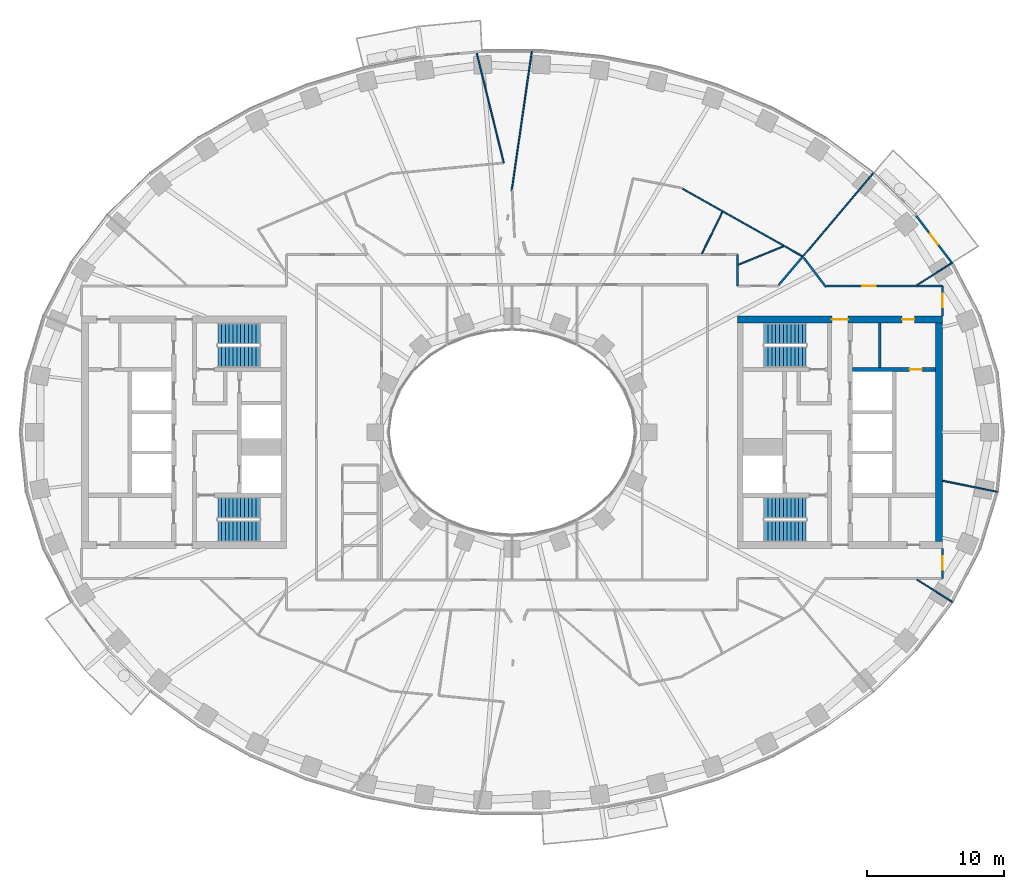
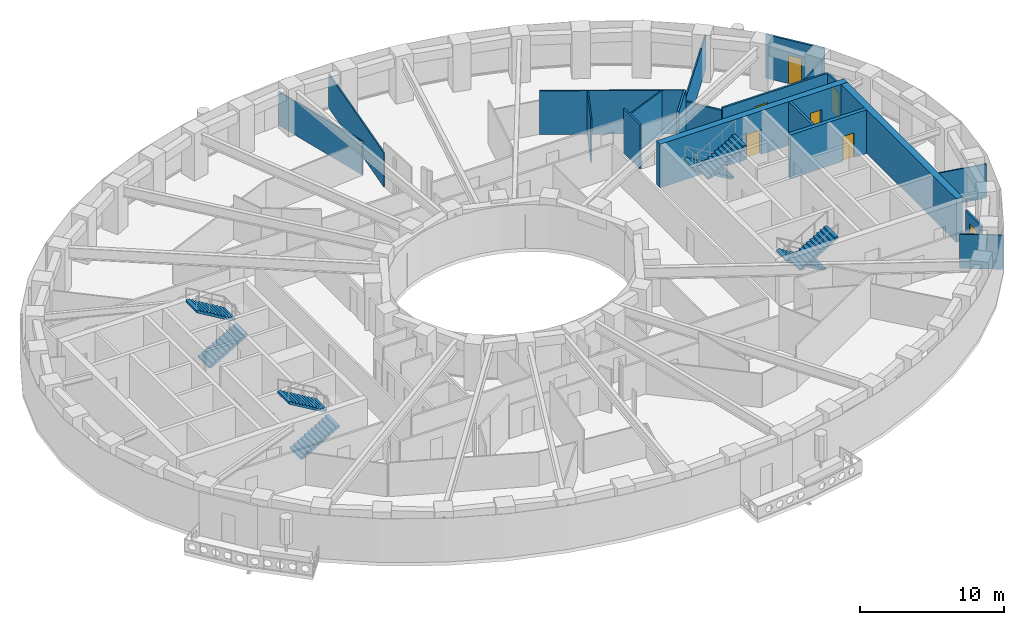
# One storey, part 7 of 16: 20 walls, 8 stair flights, 7 doors, 7 openings, 4 elements without a shape of their own.
"""IFC4 building model written with IfcOpenShell, lengths in metres."""

import ifcopenshell
import ifcopenshell.guid

model = None  # the IFC model being written
_history = None  # IfcOwnerHistory: only IFC2X3 demands one
_inside = {}  # id of a spatial element -> (the spatial element, [elements in it])
_under = {}  # id of a project, library or spatial element -> (it, [spatial elements below it])
_declared = {}  # id of a project -> (the project, [libraries it declares])
_typed = {}  # id of a type object -> (the type object, [elements of that type])
_made_of = {}  # id of a material, layer set ... -> (it, [elements and type objects made of it])


def new_model(schema):
    """Start an empty IFC model of exactly this schema.

    Asked for "IFC4X3", IfcOpenShell would pick the latest addendum, in which some entities
    have other attributes; the version numbers below select the first issue.
    IFC2X3 requires an IfcOwnerHistory on every rooted entity: one is made here for all.
    """
    global model, _history
    if schema == "IFC4X3":
        model = ifcopenshell.file(schema_version=(4, 3, 0, 0))
    else:
        model = ifcopenshell.file(schema=schema)
    _inside.clear()
    _under.clear()
    _declared.clear()
    _typed.clear()
    _made_of.clear()
    _history = None
    if model.schema == "IFC2X3":
        org = make("IfcOrganization", Name="unknown")
        user = make(
            "IfcPersonAndOrganization",
            ThePerson=make("IfcPerson", FamilyName="unknown"),
            TheOrganization=org,
        )
        app = make(
            "IfcApplication",
            ApplicationDeveloper=org,
            Version="unknown",
            ApplicationFullName="unknown",
            ApplicationIdentifier="unknown",
        )
        _history = make(
            "IfcOwnerHistory",
            OwningUser=user,
            OwningApplication=app,
            ChangeAction="ADDED",
            CreationDate=0,
        )
    return model


def make(cls, **values):
    """One entity of the class cls with the attributes given. An attribute that is None is left unset."""
    return model.create_entity(
        cls, **{name: value for name, value in values.items() if value is not None}
    )


def rooted(cls, **values):
    """An entity with a GlobalId (a new one), such as an element, a storey or a relation."""
    return make(cls, GlobalId=ifcopenshell.guid.new(), OwnerHistory=_history, **values)


def si_unit(unit_type, name, prefix=None):
    """IfcSIUnit, for example si_unit("LENGTHUNIT", "METRE", prefix="MILLI")."""
    return make("IfcSIUnit", UnitType=unit_type, Prefix=prefix, Name=name)


def assignment(units):
    """IfcUnitAssignment: the units of a project."""
    return None if units is None else make("IfcUnitAssignment", Units=units)


def point(xyz):
    """IfcCartesianPoint."""
    return None if xyz is None else make("IfcCartesianPoint", Coordinates=xyz)


def direction(xyz):
    """IfcDirection."""
    return None if xyz is None else make("IfcDirection", DirectionRatios=xyz)


def frame(location, z_axis=None, x_axis=None):
    """IfcAxis2Placement3D, a coordinate frame: its origin and axes. An axis left out is left unset."""
    return make(
        "IfcAxis2Placement3D",
        Location=point(location),
        Axis=direction(z_axis),
        RefDirection=direction(x_axis),
    )


def frame_2d(location, x_axis=None):
    """IfcAxis2Placement2D, a coordinate frame in the plane: its origin and x axis."""
    return make(
        "IfcAxis2Placement2D", Location=point(location), RefDirection=direction(x_axis)
    )


def origin():
    """The frame at (0, 0, 0) with its axes left unset."""
    return frame((0.0, 0.0, 0.0))


def place(relative_to, where):
    """IfcLocalPlacement: puts the frame where relative to a parent placement (None: the world)."""
    return make(
        "IfcLocalPlacement", PlacementRelTo=relative_to, RelativePlacement=where
    )


def context(
    kind, dimensions, precision=None, world=None, true_north=None, identifier=None
):
    """IfcGeometricRepresentationContext, for example the 3D "Model" context."""
    return make(
        "IfcGeometricRepresentationContext",
        ContextIdentifier=identifier,
        ContextType=kind,
        CoordinateSpaceDimension=dimensions,
        Precision=precision,
        WorldCoordinateSystem=world,
        TrueNorth=true_north,
    )


def subcontext(parent, identifier, kind, view, scale=None):
    """IfcGeometricRepresentationSubContext, for example "Body" below "Model"."""
    return make(
        "IfcGeometricRepresentationSubContext",
        ContextIdentifier=identifier,
        ContextType=kind,
        ParentContext=parent,
        TargetScale=scale,
        TargetView=view,
    )


def project(units=None, contexts=None):
    """IfcProject with its units and contexts."""
    return rooted(
        "IfcProject",
        Name="project",
        RepresentationContexts=contexts,
        UnitsInContext=assignment(units),
    )


def spatial(cls, under=None, at=None, **own):
    """A site, building, storey or space (cls), placed at a placement, below another one or the project."""
    s = rooted(cls, ObjectPlacement=at, **own)
    if under is not None:
        _under.setdefault(under.id(), (under, []))[1].append(s)
    return s


def polyline(points):
    """IfcPolyline through the points."""
    return make("IfcPolyline", Points=[point(p) for p in points])


def profile(cls, at=None, kind="AREA", **sizes):
    """A parametric profile (cls). Its sizes go by their IFC names, for example OverallWidth=200.0."""
    return make(cls, ProfileType=kind, Position=at, **sizes)


def rectangle(**sizes):
    """IfcRectangleProfileDef."""
    return profile("IfcRectangleProfileDef", **sizes)


def outline(outer, holes=None, kind="AREA"):
    """IfcArbitraryClosedProfileDef: a profile drawn as a closed curve; with holes, ...WithVoids."""
    if holes is None:
        return make("IfcArbitraryClosedProfileDef", ProfileType=kind, OuterCurve=outer)
    return make(
        "IfcArbitraryProfileDefWithVoids",
        ProfileType=kind,
        OuterCurve=outer,
        InnerCurves=holes,
    )


def extrude(swept, where, along, depth):
    """IfcExtrudedAreaSolid: the profile swept, set in the frame where, extruded along a direction by depth."""
    return make(
        "IfcExtrudedAreaSolid",
        SweptArea=swept,
        Position=where,
        ExtrudedDirection=direction(along),
        Depth=depth,
    )


def shape(context_of_items, identifier, shape_type, items):
    """IfcShapeRepresentation: the items that make up one representation, for example the "Body"."""
    return make(
        "IfcShapeRepresentation",
        ContextOfItems=context_of_items,
        RepresentationIdentifier=identifier,
        RepresentationType=shape_type,
        Items=items,
    )


def material(Name=None, Category=None):
    """IfcMaterial."""
    return make("IfcMaterial", Name=Name, Category=Category)


def layer(
    of_material, thickness, ventilated=None, Name=None, Category=None, Priority=None
):
    """IfcMaterialLayer: one layer of a wall or slab, of a material (None: an air gap)."""
    return make(
        "IfcMaterialLayer",
        Material=of_material,
        LayerThickness=thickness,
        IsVentilated=ventilated,
        Name=Name,
        Category=Category,
        Priority=Priority,
    )


def layer_set(layers, Name=None):
    """IfcMaterialLayerSet."""
    return make("IfcMaterialLayerSet", MaterialLayers=layers, LayerSetName=Name)


def made_of(thing, what):
    """Note that an element or type object is made of a material, layer set ...; save() writes the relation."""
    if what is not None:
        _made_of.setdefault(what.id(), (what, []))[1].append(thing)
    return thing


def type_object(cls, material=None, **own):
    """A type object (cls), such as IfcWallType, which elements share."""
    return made_of(rooted(cls, **own), material)


def element(
    cls,
    number,
    at=None,
    inside=None,
    cuts=None,
    type_object=None,
    material=None,
    context=None,
    identifier="Body",
    shape_type=None,
    held_by="IfcProductDefinitionShape",
    body=None,
    shapes=None,
    **own,
):
    """One element of the class cls, such as IfcWall. Its Tag is "e" and its number.

    at: its placement. inside: the storey or other place that contains it. cuts: it is an
    opening in that element (IfcRelVoidsElement). A single representation is given by context,
    identifier, shape_type and body (its items); several are given by shapes. held_by: the class
    of the entity that holds the representations. save() writes the other relations.
    """
    e = rooted(cls, Tag="e%d" % number, ObjectPlacement=at, **own)
    if body is not None:
        shapes = [shape(context, identifier, shape_type, body)]
    if shapes is not None:
        e.Representation = make(held_by, Representations=shapes)
    if inside is not None:
        _inside.setdefault(inside.id(), (inside, []))[1].append(e)
    if cuts is not None:
        rooted(
            "IfcRelVoidsElement", RelatingBuildingElement=cuts, RelatedOpeningElement=e
        )
    if type_object is not None:
        _typed.setdefault(type_object.id(), (type_object, []))[1].append(e)
    return made_of(e, material)


def fill(opening, filler):
    """IfcRelFillsElement: the door or window that sits in an opening."""
    return rooted(
        "IfcRelFillsElement",
        RelatingOpeningElement=opening,
        RelatedBuildingElement=filler,
    )


def aggregate(whole, parts):
    """IfcRelAggregates: a whole, such as a stair, and the parts it consists of."""
    return rooted("IfcRelAggregates", RelatingObject=whole, RelatedObjects=parts)


def save(model, path):
    """Write the relations noted so far, then the file.

    IfcRelAggregates (storeys below a building ...), IfcRelContainedInSpatialStructure (elements
    in a storey), IfcRelDefinesByType, IfcRelAssociatesMaterial and IfcRelDeclares: one each for
    every whole, place, type object, material and project.
    """
    for whole, parts in _under.values():
        aggregate(whole, parts)
    for where, things in _inside.values():
        rooted(
            "IfcRelContainedInSpatialStructure",
            RelatedElements=things,
            RelatingStructure=where,
        )
    for kind, things in _typed.values():
        rooted("IfcRelDefinesByType", RelatedObjects=things, RelatingType=kind)
    for what, things in _made_of.values():
        rooted("IfcRelAssociatesMaterial", RelatedObjects=things, RelatingMaterial=what)
    for by, libraries in _declared.values():
        rooted("IfcRelDeclares", RelatingContext=by, RelatedDefinitions=libraries)
    model.write(path)


model = new_model("IFC4")

# Units and contexts
model_context = context("Model", 3, precision=1e-05, world=origin(), true_north=direction((0.0, 1.0)))
body_context = subcontext(model_context, "Body", "Model", "MODEL_VIEW")
ifc_project = project(units=[si_unit("LENGTHUNIT", "METRE"), si_unit("AREAUNIT", "SQUARE_METRE"), si_unit("VOLUMEUNIT", "CUBIC_METRE"), si_unit("PLANEANGLEUNIT", "RADIAN"), si_unit("MASSUNIT", "GRAM", prefix="KILO")], contexts=[model_context])

# Site, building, storey
site_placement = place(None, origin())
site = spatial("IfcSite", under=ifc_project, at=site_placement, CompositionType="ELEMENT")
building_placement = place(site_placement, origin())
building = spatial("IfcBuilding", under=site, at=building_placement, Name="Noorbagh Ring Tower", CompositionType="ELEMENT")
storey_placement = place(building_placement, frame((0.0, 0.0, 96.0)))
storey = spatial("IfcBuildingStorey", under=building, at=storey_placement, Name="L21", CompositionType="ELEMENT", Elevation=96.0)

# Wall
ifc_material_1 = material(Name="Gypsum board on steel studs", Category="steel")
ifc_layer_1 = layer(ifc_material_1, 0.199951171875)
ifc_layer_set_1 = layer_set([ifc_layer_1], Name="Gypsum board on steel studs")
wall_type_1 = type_object("IfcWallType", Name="CORE-PARTITION-200", PredefinedType="PARTITIONING", material=ifc_layer_set_1)
wall_1_placement = place(storey_placement, frame((26.89990234375, 4.75, 0.0), z_axis=(0.0, 0.0, 1.0), x_axis=(0.0, 1.0, 0.0)))
element("IfcWall", 1, at=wall_1_placement, inside=storey, type_object=wall_type_1, Name="Core partition E", PredefinedType="PARTITIONING", context=body_context, shape_type="SweptSolid", body=[
    extrude(rectangle(XDim=3.25, YDim=0.199951171875, at=frame_2d((1.625, 0.0))), origin(), (0.0, 0.0, 1.0), 3.699951171875),
])

# Wall, opening, door
ifc_material_2 = material(Name="Concrete C70/85", Category="concrete")
ifc_layer_2 = layer(ifc_material_2, 0.300048828125)
ifc_layer_set_2 = layer_set([ifc_layer_2], Name="Concrete C70/85")
wall_type_2 = type_object("IfcWallType", Name="CORE-WALL-300-C70-85-EI240", PredefinedType="SHEAR", material=ifc_layer_set_2)
wall_2_placement = place(storey_placement, frame((24.89990234375, 4.60009765625, 0.0), z_axis=(0.0, 0.0, 1.0), x_axis=(1.0, 0.0, 0.0)))
wall_2 = element("IfcWall", 2, at=wall_2_placement, inside=storey, type_object=wall_type_2, Name="Core wall E", PredefinedType="SHEAR", context=body_context, shape_type="SweptSolid", body=[
    extrude(rectangle(XDim=6.10009765625, YDim=0.300048828125, at=frame_2d((3.050048828125, 0.0))), origin(), (0.0, 0.0, 1.0), 3.699951171875),
])
opening_1_placement = place(wall_2_placement, frame((4.199951171875, 0.0, 0.0)))
opening_1 = element("IfcOpeningElement", 3, at=opening_1_placement, cuts=wall_2, Name="Opening L21-CE16", PredefinedType="OPENING", context=body_context, shape_type="SweptSolid", body=[
    extrude(rectangle(XDim=0.89990234375, YDim=2.10009765625, at=frame_2d((0.449951171875, 1.050048828125))), frame((0.0, 0.16015625, 0.0), z_axis=(0.0, -1.0, 0.0), x_axis=(1.0, 0.0, 0.0)), (0.0, 0.0, 1.0), 0.320068359375),
])
ifc_material_3 = material(Name="Steel door leaf", Category="steel")
door_type_1 = type_object("IfcDoorType", Name="CORE-DOOR-DROOM", OperationType="SINGLE_SWING_LEFT", PredefinedType="DOOR", material=ifc_material_3)
door_1_placement = place(opening_1_placement, origin())
door_1 = element("IfcDoor", 4, at=door_1_placement, inside=storey, type_object=door_type_1, Name="Core room door L21-CE16", OperationType="SINGLE_SWING_RIGHT", OverallHeight=2.10009765625, OverallWidth=0.89990234375, PredefinedType="DOOR", context=body_context, shape_type="SweptSolid", body=[
    extrude(rectangle(XDim=0.89990234375, YDim=2.10009765625, at=frame_2d((0.449951171875, 1.050048828125))), frame((0.0, 0.02490234375, 0.0), z_axis=(0.0, -1.0, 0.0), x_axis=(1.0, 0.0, 0.0)), (0.0, 0.0, 1.0), 0.050048828125),
])
fill(opening_1, door_1)

# Wall, openings, doors
ifc_material_4 = material(Name="Concrete C70/85", Category="concrete")
ifc_layer_3 = layer(ifc_material_4, 0.5)
ifc_layer_set_3 = layer_set([ifc_layer_3], Name="Concrete C70/85")
wall_type_3 = type_object("IfcWallType", Name="CORE-WALL-500-C70-85-EI240", PredefinedType="SHEAR", material=ifc_layer_set_3)
wall_3_placement = place(storey_placement, frame((16.5, 8.25, 0.0), z_axis=(0.0, 0.0, 1.0), x_axis=(1.0, 0.0, 0.0)))
wall_3 = element("IfcWall", 5, at=wall_3_placement, inside=storey, type_object=wall_type_3, Name="Core wall E", PredefinedType="SHEAR", context=body_context, shape_type="SweptSolid", body=[
    extrude(rectangle(XDim=15.0, YDim=0.5, at=frame_2d((7.5, 0.0))), origin(), (0.0, 0.0, 1.0), 3.699951171875),
])
opening_2_placement = place(wall_3_placement, frame((6.89990234375, 0.0, 0.0)))
opening_2 = element("IfcOpeningElement", 6, at=opening_2_placement, cuts=wall_3, Name="Opening L21-CE09", PredefinedType="OPENING", context=body_context, shape_type="SweptSolid", body=[
    extrude(rectangle(XDim=1.199951171875, YDim=2.10009765625, at=frame_2d((0.60009765625, 1.050048828125))), frame((0.0, 0.260009765625, 0.0), z_axis=(0.0, -1.0, 0.0), x_axis=(1.0, 0.0, 0.0)), (0.0, 0.0, 1.0), 0.52001953125),
])
opening_3_placement = place(wall_3_placement, frame((12.050048828125, 0.0, 0.0)))
opening_3 = element("IfcOpeningElement", 7, at=opening_3_placement, cuts=wall_3, Name="Opening L21-CE13", PredefinedType="OPENING", context=body_context, shape_type="SweptSolid", body=[
    extrude(rectangle(XDim=0.89990234375, YDim=2.10009765625, at=frame_2d((0.449951171875, 1.050048828125))), frame((0.0, 0.260009765625, 0.0), z_axis=(0.0, -1.0, 0.0), x_axis=(1.0, 0.0, 0.0)), (0.0, 0.0, 1.0), 0.52001953125),
])
door_2_placement = place(opening_3_placement, origin())
door_2 = element("IfcDoor", 8, at=door_2_placement, inside=storey, type_object=door_type_1, Name="Core room door L21-CE13", OperationType="SINGLE_SWING_LEFT", OverallHeight=2.10009765625, OverallWidth=0.89990234375, PredefinedType="DOOR", context=body_context, shape_type="SweptSolid", body=[
    extrude(rectangle(XDim=0.89990234375, YDim=2.10009765625, at=frame_2d((0.449951171875, 1.050048828125))), frame((0.0, 0.02490234375, 0.0), z_axis=(0.0, -1.0, 0.0), x_axis=(1.0, 0.0, 0.0)), (0.0, 0.0, 1.0), 0.050048828125),
])
fill(opening_3, door_2)
ifc_material_5 = material(Name="Steel door leaf", Category="steel")
door_type_2 = type_object("IfcDoorType", Name="CORE-DOOR-PORT", OperationType="DOUBLE_DOOR_DOUBLE_SWING", PredefinedType="DOOR", material=ifc_material_5)
door_3_placement = place(opening_2_placement, origin())
door_3 = element("IfcDoor", 9, at=door_3_placement, inside=storey, type_object=door_type_2, Name="Core entrance door L21-CE09", OperationType="DOUBLE_DOOR_DOUBLE_SWING", OverallHeight=2.10009765625, OverallWidth=1.199951171875, PredefinedType="DOOR", context=body_context, shape_type="SweptSolid", body=[
    extrude(rectangle(XDim=1.199951171875, YDim=2.10009765625, at=frame_2d((0.60009765625, 1.050048828125))), frame((0.0, 0.02490234375, 0.0), z_axis=(0.0, -1.0, 0.0), x_axis=(1.0, 0.0, 0.0)), (0.0, 0.0, 1.0), 0.050048828125),
])
fill(opening_2, door_3)

# Walls
wall_4_placement = place(storey_placement, frame((31.25, -8.0, 0.0), z_axis=(0.0, 0.0, 1.0), x_axis=(0.0, 1.0, 0.0)))
element("IfcWall", 10, at=wall_4_placement, inside=storey, type_object=wall_type_3, Name="Core wall E", PredefinedType="SHEAR", context=body_context, shape_type="SweptSolid", body=[
    extrude(rectangle(XDim=16.0, YDim=0.5, at=frame_2d((8.0, 0.0))), origin(), (0.0, 0.0, 1.0), 3.699951171875),
])
ifc_material_6 = material(Name="Gypsum board on steel studs", Category="steel")
ifc_layer_4 = layer(ifc_material_6, 0.14990234375)
ifc_layer_set_4 = layer_set([ifc_layer_4], Name="Gypsum board on steel studs")
wall_type_4 = type_object("IfcWallType", Name="CORRIDOR PARTITION 150 EI 30", PredefinedType="PARTITIONING", material=ifc_layer_set_4)
wall_5_placement = place(storey_placement, frame((16.5, 10.699951171875, 0.0), z_axis=(0.0, 0.0, 1.0), x_axis=(0.0, 1.0, 0.0)))
element("IfcWall", 11, at=wall_5_placement, inside=storey, type_object=wall_type_4, Name="L21/wall/P80", PredefinedType="PARTITIONING", context=body_context, shape_type="SweptSolid", body=[
    extrude(rectangle(XDim=2.300048828125, YDim=0.14990234375, at=frame_2d((1.14990234375, 0.0))), origin(), (0.0, 0.0, 1.0), 3.699951171875),
])
wall_6_placement = place(storey_placement, frame((19.510986328125, 10.778076171875, 0.0), z_axis=(0.0, 0.0, 1.0), x_axis=(0.64641426768, 0.762986628021, 0.0)))
element("IfcWall", 12, at=wall_6_placement, inside=storey, type_object=wall_type_4, Name="L21/wall/P85", PredefinedType="PARTITIONING", context=body_context, shape_type="SweptSolid", body=[
    extrude(rectangle(XDim=2.735107421875, YDim=0.14990234375, at=frame_2d((1.36767578125, 0.0))), origin(), (0.0, 0.0, 1.0), 3.699951171875),
])
wall_7_placement = place(storey_placement, frame((21.35498046875, 12.764892578125, 0.0), z_axis=(0.0, 0.0, 1.0), x_axis=(0.603391001626, -0.797445483502, 0.0)))
element("IfcWall", 13, at=wall_7_placement, inside=storey, type_object=wall_type_4, Name="L21/wall/P88", PredefinedType="PARTITIONING", context=body_context, shape_type="SweptSolid", body=[
    extrude(rectangle(XDim=2.6796875, YDim=0.14990234375, at=frame_2d((1.33984375, 0.0))), origin(), (0.0, 0.0, 1.0), 2.75),
])

# Wall, opening, door
wall_8_placement = place(storey_placement, frame((23.010986328125, 10.699951171875, 0.0), z_axis=(0.0, 0.0, 1.0), x_axis=(1.0, 0.0, 0.0)))
wall_8 = element("IfcWall", 14, at=wall_8_placement, inside=storey, type_object=wall_type_4, Name="L21/wall/P91", PredefinedType="PARTITIONING", context=body_context, shape_type="SweptSolid", body=[
    extrude(rectangle(XDim=8.489013671875, YDim=0.14990234375, at=frame_2d((4.24462890625, 0.0))), origin(), (0.0, 0.0, 1.0), 2.89990234375),
])
opening_4_placement = place(wall_8_placement, frame((2.610107421875, 0.0, 0.0)))
opening_4 = element("IfcOpeningElement", 15, at=opening_4_placement, cuts=wall_8, Name="Opening D1", PredefinedType="OPENING", context=body_context, shape_type="SweptSolid", body=[
    extrude(rectangle(XDim=1.0, YDim=2.10009765625, at=frame_2d((0.5, 1.050048828125))), frame((0.0, 0.0849609375, 0.0), z_axis=(0.0, -1.0, 0.0), x_axis=(1.0, 0.0, 0.0)), (0.0, 0.0, 1.0), 0.169921875),
])
ifc_material_7 = material(Name="Timber, painted", Category="wood")
door_type_3 = type_object("IfcDoorType", Name="DOOR 1000 X 2100 FD30", OperationType="SINGLE_SWING_LEFT", PredefinedType="DOOR", material=ifc_material_7)
door_4_placement = place(opening_4_placement, origin())
door_4 = element("IfcDoor", 16, at=door_4_placement, inside=storey, type_object=door_type_3, Name="L21-D24", OperationType="SINGLE_SWING_RIGHT", OverallHeight=2.10009765625, OverallWidth=1.0, PredefinedType="DOOR", context=body_context, shape_type="SweptSolid", body=[
    extrude(rectangle(XDim=1.0, YDim=2.10009765625, at=frame_2d((0.5, 1.050048828125))), frame((0.0, 0.02490234375, 0.0), z_axis=(0.0, -1.0, 0.0), x_axis=(1.0, 0.0, 0.0)), (0.0, 0.0, 1.0), 0.050048828125),
])
fill(opening_4, door_4)

wall_9_placement = place(storey_placement, frame((31.5, -10.699951171875, 0.0), z_axis=(0.0, 0.0, 1.0), x_axis=(0.0, 1.0, 0.0)))
wall_9 = element("IfcWall", 17, at=wall_9_placement, inside=storey, type_object=wall_type_4, Name="L21/wall/P94", PredefinedType="PARTITIONING", context=body_context, shape_type="SweptSolid", body=[
    extrude(rectangle(XDim=2.199951171875, YDim=0.14990234375, at=frame_2d((1.10009765625, 0.0))), origin(), (0.0, 0.0, 1.0), 2.89990234375),
])
opening_5_placement = place(wall_9_placement, frame((0.64990234375, 0.0, 0.0)))
opening_5 = element("IfcOpeningElement", 18, at=opening_5_placement, cuts=wall_9, Name="Opening D1", PredefinedType="OPENING", context=body_context, shape_type="SweptSolid", body=[
    extrude(rectangle(XDim=1.0, YDim=2.10009765625, at=frame_2d((0.5, 1.050048828125))), frame((0.0, 0.0849609375, 0.0), z_axis=(0.0, -1.0, 0.0), x_axis=(1.0, 0.0, 0.0)), (0.0, 0.0, 1.0), 0.169921875),
])
door_5_placement = place(opening_5_placement, origin())
door_5 = element("IfcDoor", 19, at=door_5_placement, inside=storey, type_object=door_type_3, Name="L21-D25", OperationType="SINGLE_SWING_LEFT", OverallHeight=2.10009765625, OverallWidth=1.0, PredefinedType="DOOR", context=body_context, shape_type="SweptSolid", body=[
    extrude(rectangle(XDim=1.0, YDim=2.10009765625, at=frame_2d((0.5, 1.050048828125))), frame((0.0, 0.02490234375, 0.0), z_axis=(0.0, -1.0, 0.0), x_axis=(1.0, 0.0, 0.0)), (0.0, 0.0, 1.0), 0.050048828125),
])
fill(opening_5, door_5)

wall_10_placement = place(storey_placement, frame((31.5, 8.5, 0.0), z_axis=(0.0, 0.0, 1.0), x_axis=(0.0, 1.0, 0.0)))
wall_10 = element("IfcWall", 20, at=wall_10_placement, inside=storey, type_object=wall_type_4, Name="L21/wall/P96", PredefinedType="PARTITIONING", context=body_context, shape_type="SweptSolid", body=[
    extrude(rectangle(XDim=2.199951171875, YDim=0.14990234375, at=frame_2d((1.10009765625, 0.0))), origin(), (0.0, 0.0, 1.0), 2.89990234375),
])
opening_6_placement = place(wall_10_placement, frame((0.64990234375, 0.0, 0.0)))
opening_6 = element("IfcOpeningElement", 21, at=opening_6_placement, cuts=wall_10, Name="Opening D1", PredefinedType="OPENING", context=body_context, shape_type="SweptSolid", body=[
    extrude(rectangle(XDim=1.0, YDim=2.10009765625, at=frame_2d((0.5, 1.050048828125))), frame((0.0, 0.0849609375, 0.0), z_axis=(0.0, -1.0, 0.0), x_axis=(1.0, 0.0, 0.0)), (0.0, 0.0, 1.0), 0.169921875),
])
door_6_placement = place(opening_6_placement, origin())
door_6 = element("IfcDoor", 22, at=door_6_placement, inside=storey, type_object=door_type_3, Name="L21-D26", OperationType="SINGLE_SWING_RIGHT", OverallHeight=2.10009765625, OverallWidth=1.0, PredefinedType="DOOR", context=body_context, shape_type="SweptSolid", body=[
    extrude(rectangle(XDim=1.0, YDim=2.10009765625, at=frame_2d((0.5, 1.050048828125))), frame((0.0, 0.02490234375, 0.0), z_axis=(0.0, -1.0, 0.0), x_axis=(1.0, 0.0, 0.0)), (0.0, 0.0, 1.0), 0.050048828125),
])
fill(opening_6, door_6)

ifc_material_8 = material(Name="Insulated aluminium clad panel", Category="aluminium")
ifc_layer_5 = layer(ifc_material_8, 0.14990234375)
ifc_layer_set_5 = layer_set([ifc_layer_5], Name="Insulated aluminium clad panel")
wall_type_5 = type_object("IfcWallType", Name="ENV-WALL-DOOR", PredefinedType="STANDARD", material=ifc_layer_set_5)
wall_11_placement = place(storey_placement, frame((32.20751953125, 12.37353515625, 0.0), z_axis=(0.0, 0.0, 1.0), x_axis=(-0.604045763106, 0.796949632081, 0.0)))
wall_11 = element("IfcWall", 23, at=wall_11_placement, inside=storey, type_object=wall_type_5, Name="Balcony door wall chord 04", PredefinedType="STANDARD", context=body_context, shape_type="SweptSolid", body=[
    extrude(rectangle(XDim=4.42333984375, YDim=0.14990234375, at=frame_2d((2.211669921875, 0.0))), origin(), (0.0, 0.0, 1.0), 3.699951171875),
])
opening_7_placement = place(wall_11_placement, frame((1.711669921875, 0.0, 0.0)))
opening_7 = element("IfcOpeningElement", 24, at=opening_7_placement, cuts=wall_11, Name="Opening D-BL", PredefinedType="OPENING", context=body_context, shape_type="SweptSolid", body=[
    extrude(rectangle(XDim=1.0, YDim=2.39990234375, at=frame_2d((0.5, 1.199951171875))), frame((0.0, 0.0849609375, 0.0), z_axis=(0.0, -1.0, 0.0), x_axis=(1.0, 0.0, 0.0)), (0.0, 0.0, 1.0), 0.169921875),
])
ifc_material_9 = material(Name="Aluminium and glass", Category="aluminium")
door_type_4 = type_object("IfcDoorType", Name="ENV-DOOR-BALCONY", OperationType="SINGLE_SWING_LEFT", PredefinedType="DOOR", material=ifc_material_9)
door_7_placement = place(opening_7_placement, origin())
door_7 = element("IfcDoor", 25, at=door_7_placement, inside=storey, type_object=door_type_4, Name="Balcony door chord 04", OperationType="SINGLE_SWING_RIGHT", OverallHeight=2.39990234375, OverallWidth=1.0, PredefinedType="DOOR", context=body_context, shape_type="SweptSolid", body=[
    extrude(rectangle(XDim=1.0, YDim=2.39990234375, at=frame_2d((0.5, 1.199951171875))), frame((0.0, 0.02490234375, 0.0), z_axis=(0.0, -1.0, 0.0), x_axis=(1.0, 0.0, 0.0)), (0.0, 0.0, 1.0), 0.050048828125),
])
fill(opening_7, door_7)

# Walls
ifc_material_10 = material(Name="Gypsum board on steel studs", Category="steel")
ifc_layer_6 = layer(ifc_material_10, 0.10009765625)
ifc_layer_set_6 = layer_set([ifc_layer_6], Name="Gypsum board on steel studs")
wall_type_6 = type_object("IfcWallType", Name="PARTITION 100 GYPSUM", PredefinedType="PARTITIONING", material=ifc_layer_set_6)
wall_12_placement = place(storey_placement, frame((-2.60888671875, 27.85791015625, 0.0), z_axis=(0.0, 0.0, 1.0), x_axis=(0.239677840558, -0.970852477334, 0.0)))
element("IfcWall", 26, at=wall_12_placement, inside=storey, type_object=wall_type_6, Name="L21/wall/P47", PredefinedType="PARTITIONING", context=body_context, shape_type="SweptSolid", body=[
    extrude(rectangle(XDim=8.38525390625, YDim=0.10009765625, at=frame_2d((4.192626953125, 0.0))), origin(), (0.0, 0.0, 1.0), 2.85009765625),
])
wall_13_placement = place(storey_placement, frame((-0.027099609375, 17.654052734375, 0.0), z_axis=(0.0, 0.0, 1.0), x_axis=(0.142950746257, 0.989729803605, 0.0)))
element("IfcWall", 27, at=wall_13_placement, inside=storey, type_object=wall_type_6, Name="L21/wall/P52", PredefinedType="PARTITIONING", context=body_context, shape_type="SweptSolid", body=[
    extrude(rectangle(XDim=10.34619140625, YDim=0.10009765625, at=frame_2d((5.173095703125, 0.0))), origin(), (0.0, 0.0, 1.0), 2.89990234375),
])
wall_14_placement = place(storey_placement, frame((12.47998046875, 17.824951171875, 0.0), z_axis=(0.0, 0.0, 1.0), x_axis=(0.871131718637, -0.491049415827, 0.0)))
element("IfcWall", 28, at=wall_14_placement, inside=storey, type_object=wall_type_6, Name="L21/wall/P74", PredefinedType="PARTITIONING", context=body_context, shape_type="SweptSolid", body=[
    extrude(rectangle(XDim=10.100830078125, YDim=0.10009765625, at=frame_2d((5.05029296875, 0.0))), origin(), (0.0, 0.0, 1.0), 3.699951171875),
])
wall_15_placement = place(storey_placement, frame((13.89892578125, 13.074951171875, 0.0), z_axis=(0.0, 0.0, 1.0), x_axis=(0.439170148288, 0.898403907412, 0.0)))
element("IfcWall", 29, at=wall_15_placement, inside=storey, type_object=wall_type_6, Name="L21/wall/P76", PredefinedType="PARTITIONING", context=body_context, shape_type="SweptSolid", body=[
    extrude(rectangle(XDim=3.39501953125, YDim=0.10009765625, at=frame_2d((1.697509765625, 0.0))), origin(), (0.0, 0.0, 1.0), 3.699951171875),
])
wall_16_placement = place(storey_placement, frame((16.5791015625, 12.27099609375, 0.0), z_axis=(0.0, 0.0, 1.0), x_axis=(0.925511782592, 0.378718814272, 0.0)))
element("IfcWall", 30, at=wall_16_placement, inside=storey, type_object=wall_type_6, Name="L21/wall/P83", PredefinedType="PARTITIONING", context=body_context, shape_type="SweptSolid", body=[
    extrude(rectangle(XDim=3.53857421875, YDim=0.10009765625, at=frame_2d((1.769287109375, 0.0))), origin(), (0.0, 0.0, 1.0), 3.699951171875),
])
wall_17_placement = place(storey_placement, frame((21.279052734375, 12.864990234375, 0.0), z_axis=(0.0, 0.0, 1.0), x_axis=(0.646395355102, 0.763002650652, 0.0)))
element("IfcWall", 31, at=wall_17_placement, inside=storey, type_object=wall_type_6, Name="L21/wall/P89", PredefinedType="PARTITIONING", context=body_context, shape_type="SweptSolid", body=[
    extrude(rectangle(XDim=7.968505859375, YDim=0.10009765625, at=frame_2d((3.984375, 0.0))), origin(), (0.0, 0.0, 1.0), 2.89990234375),
])
for number, where, z_axis, x_axis, name in (
    (32, (29.636962890625, -10.777099609375, 0.0), (0.0, 0.0, 1.0), (0.844810627195, -0.535065420467, 0.0), "L21/wall/P92"),
    (33, (29.636962890625, 10.777099609375, 0.0), (0.0, 0.0, 1.0), (0.844810627195, 0.535065420467, 0.0), "L21/wall/P93"),
):
    element("IfcWall", number, at=place(storey_placement, frame(where, z_axis=z_axis, x_axis=x_axis)), inside=storey, type_object=wall_type_6, Name=name, PredefinedType="PARTITIONING", context=body_context, shape_type="SweptSolid", body=[
        extrude(rectangle(XDim=3.0478515625, YDim=0.10009765625, at=frame_2d((1.52392578125, 0.0))), origin(), (0.0, 0.0, 1.0), 2.89990234375),
    ])
wall_18_placement = place(storey_placement, frame((31.5, -3.5419921875, 0.0), z_axis=(0.0, 0.0, 1.0), x_axis=(0.980357474535, -0.197228857227, 0.0)))
element("IfcWall", 34, at=wall_18_placement, inside=storey, type_object=wall_type_6, Name="L21/wall/P95", PredefinedType="PARTITIONING", context=body_context, shape_type="SweptSolid", body=[
    extrude(rectangle(XDim=4.09228515625, YDim=0.10009765625, at=frame_2d((2.046142578125, 0.0))), origin(), (0.0, 0.0, 1.0), 2.89990234375),
])

# Stair, stair flights
ifc_material_11 = material(Name="Concrete C40/50", Category="concrete")
stair_type = type_object("IfcStairType", Name="CORE-STAIR", PredefinedType="HALF_TURN_STAIR", material=ifc_material_11)
stair_1_placement = place(storey_placement, origin())
stair_1 = element("IfcStair", 35, at=stair_1_placement, inside=storey, type_object=stair_type, Name="L21 Exit stair ST1", PredefinedType="HALF_TURN_STAIR")
ifc_material_12 = material(Name="Concrete C40/50", Category="concrete")
stair_flight_type = type_object("IfcStairFlightType", Name="CORE-STAIR-FLIGHT", PredefinedType="STRAIGHT", material=ifc_material_12)
stair_flight_1_placement = place(storey_placement, frame((-21.530029296875, 5.52490234375, 0.0), z_axis=(0.0, 0.0, 1.0), x_axis=(1.0, 0.0, 0.0)))
stair_flight_1 = element("IfcStairFlight", 36, at=stair_flight_1_placement, type_object=stair_flight_type, Name="ST1 flight 1", NumberOfRisers=12, NumberOfTreads=11, PredefinedType="STRAIGHT", RiserHeight=0.166666667, TreadLength=0.28, context=body_context, shape_type="SweptSolid", body=[
    extrude(outline(polyline([(0.0, 0.0), (0.0, 0.166748046875), (0.280029296875, 0.166748046875), (0.280029296875, 0.333251953125), (0.56005859375, 0.333251953125), (0.56005859375, 0.5), (0.840087890625, 0.5), (0.840087890625, 0.666748046875), (1.1201171875, 0.666748046875), (1.1201171875, 0.833251953125), (1.39990234375, 0.833251953125), (1.39990234375, 1.0), (1.679931640625, 1.0), (1.679931640625, 1.166748046875), (1.9599609375, 1.166748046875), (1.9599609375, 1.333251953125), (2.239990234375, 1.333251953125), (2.239990234375, 1.5), (2.52001953125, 1.5), (2.52001953125, 1.666748046875), (2.800048828125, 1.666748046875), (2.800048828125, 1.833251953125), (3.080078125, 1.833251953125), (3.080078125, 2.0), (3.080078125, 1.658935546875), (0.29296875, 0.0), (0.0, 0.0)])), frame((0.0, 0.77490234375, 0.0), z_axis=(0.0, -1.0, 0.0), x_axis=(1.0, 0.0, 0.0)), (0.0, 0.0, 1.0), 1.550048828125),
])
stair_flight_2_placement = place(storey_placement, frame((-18.449951171875, 7.22509765625, 2.0), z_axis=(0.0, 0.0, 1.0), x_axis=(-1.0, 0.0, 0.0)))
stair_flight_2 = element("IfcStairFlight", 37, at=stair_flight_2_placement, type_object=stair_flight_type, Name="ST1 flight 2", NumberOfRisers=12, NumberOfTreads=11, PredefinedType="STRAIGHT", RiserHeight=0.166666667, TreadLength=0.28, context=body_context, shape_type="SweptSolid", body=[
    extrude(outline(polyline([(0.0, 0.0), (0.0, 0.166748046875), (0.280029296875, 0.166748046875), (0.280029296875, 0.333251953125), (0.56005859375, 0.333251953125), (0.56005859375, 0.5), (0.840087890625, 0.5), (0.840087890625, 0.666748046875), (1.1201171875, 0.666748046875), (1.1201171875, 0.833251953125), (1.39990234375, 0.833251953125), (1.39990234375, 1.0), (1.679931640625, 1.0), (1.679931640625, 1.166748046875), (1.9599609375, 1.166748046875), (1.9599609375, 1.333251953125), (2.239990234375, 1.333251953125), (2.239990234375, 1.5), (2.52001953125, 1.5), (2.52001953125, 1.666748046875), (2.800048828125, 1.666748046875), (2.800048828125, 1.833251953125), (3.080078125, 1.833251953125), (3.080078125, 2.0), (3.080078125, 1.658935546875), (0.29296875, 0.0), (0.0, 0.0)])), frame((0.0, 0.77490234375, 0.0), z_axis=(0.0, -1.0, 0.0), x_axis=(1.0, 0.0, 0.0)), (0.0, 0.0, 1.0), 1.550048828125),
])
aggregate(stair_1, [stair_flight_1, stair_flight_2])

stair_2_placement = place(storey_placement, origin())
stair_2 = element("IfcStair", 38, at=stair_2_placement, inside=storey, type_object=stair_type, Name="L21 Exit stair ST2", PredefinedType="HALF_TURN_STAIR")
stair_flight_3_placement = place(storey_placement, frame((-21.530029296875, -7.22509765625, 0.0), z_axis=(0.0, 0.0, 1.0), x_axis=(1.0, 0.0, 0.0)))
stair_flight_3 = element("IfcStairFlight", 39, at=stair_flight_3_placement, type_object=stair_flight_type, Name="ST2 flight 1", NumberOfRisers=12, NumberOfTreads=11, PredefinedType="STRAIGHT", RiserHeight=0.166666667, TreadLength=0.28, context=body_context, shape_type="SweptSolid", body=[
    extrude(outline(polyline([(0.0, 0.0), (0.0, 0.166748046875), (0.280029296875, 0.166748046875), (0.280029296875, 0.333251953125), (0.56005859375, 0.333251953125), (0.56005859375, 0.5), (0.840087890625, 0.5), (0.840087890625, 0.666748046875), (1.1201171875, 0.666748046875), (1.1201171875, 0.833251953125), (1.39990234375, 0.833251953125), (1.39990234375, 1.0), (1.679931640625, 1.0), (1.679931640625, 1.166748046875), (1.9599609375, 1.166748046875), (1.9599609375, 1.333251953125), (2.239990234375, 1.333251953125), (2.239990234375, 1.5), (2.52001953125, 1.5), (2.52001953125, 1.666748046875), (2.800048828125, 1.666748046875), (2.800048828125, 1.833251953125), (3.080078125, 1.833251953125), (3.080078125, 2.0), (3.080078125, 1.658935546875), (0.29296875, 0.0), (0.0, 0.0)])), frame((0.0, 0.77490234375, 0.0), z_axis=(0.0, -1.0, 0.0), x_axis=(1.0, 0.0, 0.0)), (0.0, 0.0, 1.0), 1.550048828125),
])
stair_flight_4_placement = place(storey_placement, frame((-18.449951171875, -5.52490234375, 2.0), z_axis=(0.0, 0.0, 1.0), x_axis=(-1.0, 0.0, 0.0)))
stair_flight_4 = element("IfcStairFlight", 40, at=stair_flight_4_placement, type_object=stair_flight_type, Name="ST2 flight 2", NumberOfRisers=12, NumberOfTreads=11, PredefinedType="STRAIGHT", RiserHeight=0.166666667, TreadLength=0.28, context=body_context, shape_type="SweptSolid", body=[
    extrude(outline(polyline([(0.0, 0.0), (0.0, 0.166748046875), (0.280029296875, 0.166748046875), (0.280029296875, 0.333251953125), (0.56005859375, 0.333251953125), (0.56005859375, 0.5), (0.840087890625, 0.5), (0.840087890625, 0.666748046875), (1.1201171875, 0.666748046875), (1.1201171875, 0.833251953125), (1.39990234375, 0.833251953125), (1.39990234375, 1.0), (1.679931640625, 1.0), (1.679931640625, 1.166748046875), (1.9599609375, 1.166748046875), (1.9599609375, 1.333251953125), (2.239990234375, 1.333251953125), (2.239990234375, 1.5), (2.52001953125, 1.5), (2.52001953125, 1.666748046875), (2.800048828125, 1.666748046875), (2.800048828125, 1.833251953125), (3.080078125, 1.833251953125), (3.080078125, 2.0), (3.080078125, 1.658935546875), (0.29296875, 0.0), (0.0, 0.0)])), frame((0.0, 0.77490234375, 0.0), z_axis=(0.0, -1.0, 0.0), x_axis=(1.0, 0.0, 0.0)), (0.0, 0.0, 1.0), 1.550048828125),
])
aggregate(stair_2, [stair_flight_3, stair_flight_4])

stair_3_placement = place(storey_placement, origin())
stair_3 = element("IfcStair", 41, at=stair_3_placement, inside=storey, type_object=stair_type, Name="L21 Exit stair ST3", PredefinedType="HALF_TURN_STAIR")
stair_flight_5_placement = place(storey_placement, frame((21.530029296875, 7.22509765625, 0.0), z_axis=(0.0, 0.0, 1.0), x_axis=(-1.0, 0.0, 0.0)))
stair_flight_5 = element("IfcStairFlight", 42, at=stair_flight_5_placement, type_object=stair_flight_type, Name="ST3 flight 1", NumberOfRisers=12, NumberOfTreads=11, PredefinedType="STRAIGHT", RiserHeight=0.166666667, TreadLength=0.28, context=body_context, shape_type="SweptSolid", body=[
    extrude(outline(polyline([(0.0, 0.0), (0.0, 0.166748046875), (0.280029296875, 0.166748046875), (0.280029296875, 0.333251953125), (0.56005859375, 0.333251953125), (0.56005859375, 0.5), (0.840087890625, 0.5), (0.840087890625, 0.666748046875), (1.1201171875, 0.666748046875), (1.1201171875, 0.833251953125), (1.39990234375, 0.833251953125), (1.39990234375, 1.0), (1.679931640625, 1.0), (1.679931640625, 1.166748046875), (1.9599609375, 1.166748046875), (1.9599609375, 1.333251953125), (2.239990234375, 1.333251953125), (2.239990234375, 1.5), (2.52001953125, 1.5), (2.52001953125, 1.666748046875), (2.800048828125, 1.666748046875), (2.800048828125, 1.833251953125), (3.080078125, 1.833251953125), (3.080078125, 2.0), (3.080078125, 1.658935546875), (0.29296875, 0.0), (0.0, 0.0)])), frame((0.0, 0.77490234375, 0.0), z_axis=(0.0, -1.0, 0.0), x_axis=(1.0, 0.0, 0.0)), (0.0, 0.0, 1.0), 1.550048828125),
])
stair_flight_6_placement = place(storey_placement, frame((18.449951171875, 5.52490234375, 2.0), z_axis=(0.0, 0.0, 1.0), x_axis=(1.0, 0.0, 0.0)))
stair_flight_6 = element("IfcStairFlight", 43, at=stair_flight_6_placement, type_object=stair_flight_type, Name="ST3 flight 2", NumberOfRisers=12, NumberOfTreads=11, PredefinedType="STRAIGHT", RiserHeight=0.166666667, TreadLength=0.28, context=body_context, shape_type="SweptSolid", body=[
    extrude(outline(polyline([(0.0, 0.0), (0.0, 0.166748046875), (0.280029296875, 0.166748046875), (0.280029296875, 0.333251953125), (0.56005859375, 0.333251953125), (0.56005859375, 0.5), (0.840087890625, 0.5), (0.840087890625, 0.666748046875), (1.1201171875, 0.666748046875), (1.1201171875, 0.833251953125), (1.39990234375, 0.833251953125), (1.39990234375, 1.0), (1.679931640625, 1.0), (1.679931640625, 1.166748046875), (1.9599609375, 1.166748046875), (1.9599609375, 1.333251953125), (2.239990234375, 1.333251953125), (2.239990234375, 1.5), (2.52001953125, 1.5), (2.52001953125, 1.666748046875), (2.800048828125, 1.666748046875), (2.800048828125, 1.833251953125), (3.080078125, 1.833251953125), (3.080078125, 2.0), (3.080078125, 1.658935546875), (0.29296875, 0.0), (0.0, 0.0)])), frame((0.0, 0.77490234375, 0.0), z_axis=(0.0, -1.0, 0.0), x_axis=(1.0, 0.0, 0.0)), (0.0, 0.0, 1.0), 1.550048828125),
])
aggregate(stair_3, [stair_flight_5, stair_flight_6])

stair_4_placement = place(storey_placement, origin())
stair_4 = element("IfcStair", 44, at=stair_4_placement, inside=storey, type_object=stair_type, Name="L21 Exit stair ST4", PredefinedType="HALF_TURN_STAIR")
stair_flight_7_placement = place(storey_placement, frame((21.530029296875, -5.52490234375, 0.0), z_axis=(0.0, 0.0, 1.0), x_axis=(-1.0, 0.0, 0.0)))
stair_flight_7 = element("IfcStairFlight", 45, at=stair_flight_7_placement, type_object=stair_flight_type, Name="ST4 flight 1", NumberOfRisers=12, NumberOfTreads=11, PredefinedType="STRAIGHT", RiserHeight=0.166666667, TreadLength=0.28, context=body_context, shape_type="SweptSolid", body=[
    extrude(outline(polyline([(0.0, 0.0), (0.0, 0.166748046875), (0.280029296875, 0.166748046875), (0.280029296875, 0.333251953125), (0.56005859375, 0.333251953125), (0.56005859375, 0.5), (0.840087890625, 0.5), (0.840087890625, 0.666748046875), (1.1201171875, 0.666748046875), (1.1201171875, 0.833251953125), (1.39990234375, 0.833251953125), (1.39990234375, 1.0), (1.679931640625, 1.0), (1.679931640625, 1.166748046875), (1.9599609375, 1.166748046875), (1.9599609375, 1.333251953125), (2.239990234375, 1.333251953125), (2.239990234375, 1.5), (2.52001953125, 1.5), (2.52001953125, 1.666748046875), (2.800048828125, 1.666748046875), (2.800048828125, 1.833251953125), (3.080078125, 1.833251953125), (3.080078125, 2.0), (3.080078125, 1.658935546875), (0.29296875, 0.0), (0.0, 0.0)])), frame((0.0, 0.77490234375, 0.0), z_axis=(0.0, -1.0, 0.0), x_axis=(1.0, 0.0, 0.0)), (0.0, 0.0, 1.0), 1.550048828125),
])
stair_flight_8_placement = place(storey_placement, frame((18.449951171875, -7.22509765625, 2.0), z_axis=(0.0, 0.0, 1.0), x_axis=(1.0, 0.0, 0.0)))
stair_flight_8 = element("IfcStairFlight", 46, at=stair_flight_8_placement, type_object=stair_flight_type, Name="ST4 flight 2", NumberOfRisers=12, NumberOfTreads=11, PredefinedType="STRAIGHT", RiserHeight=0.166666667, TreadLength=0.28, context=body_context, shape_type="SweptSolid", body=[
    extrude(outline(polyline([(0.0, 0.0), (0.0, 0.166748046875), (0.280029296875, 0.166748046875), (0.280029296875, 0.333251953125), (0.56005859375, 0.333251953125), (0.56005859375, 0.5), (0.840087890625, 0.5), (0.840087890625, 0.666748046875), (1.1201171875, 0.666748046875), (1.1201171875, 0.833251953125), (1.39990234375, 0.833251953125), (1.39990234375, 1.0), (1.679931640625, 1.0), (1.679931640625, 1.166748046875), (1.9599609375, 1.166748046875), (1.9599609375, 1.333251953125), (2.239990234375, 1.333251953125), (2.239990234375, 1.5), (2.52001953125, 1.5), (2.52001953125, 1.666748046875), (2.800048828125, 1.666748046875), (2.800048828125, 1.833251953125), (3.080078125, 1.833251953125), (3.080078125, 2.0), (3.080078125, 1.658935546875), (0.29296875, 0.0), (0.0, 0.0)])), frame((0.0, 0.77490234375, 0.0), z_axis=(0.0, -1.0, 0.0), x_axis=(1.0, 0.0, 0.0)), (0.0, 0.0, 1.0), 1.550048828125),
])
aggregate(stair_4, [stair_flight_7, stair_flight_8])

save(model, "model.ifc")
